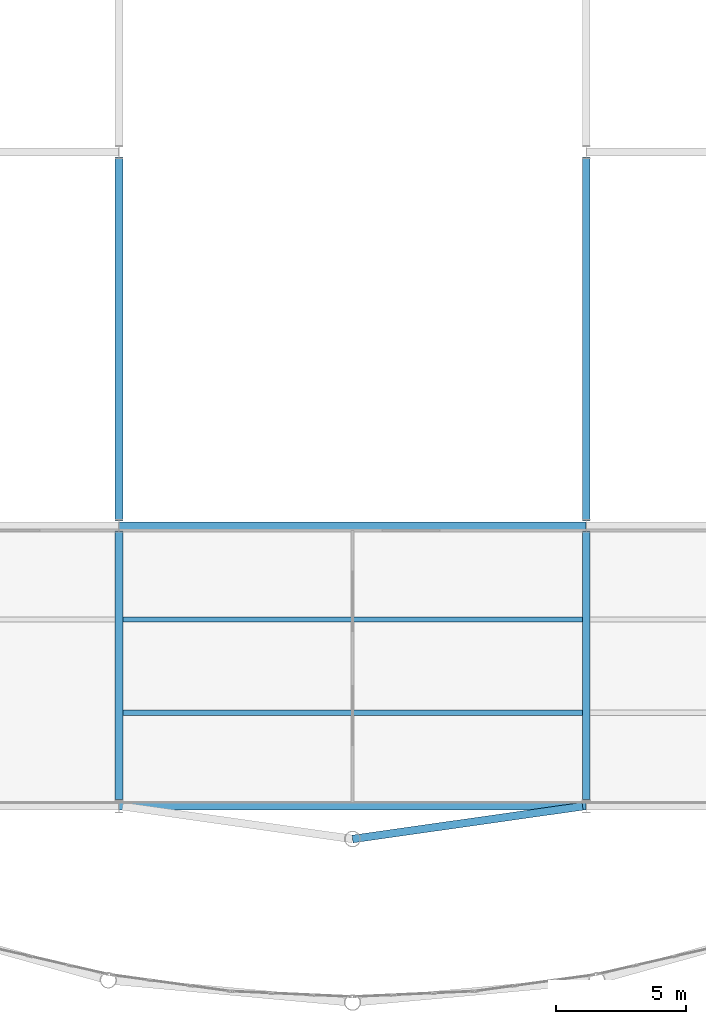
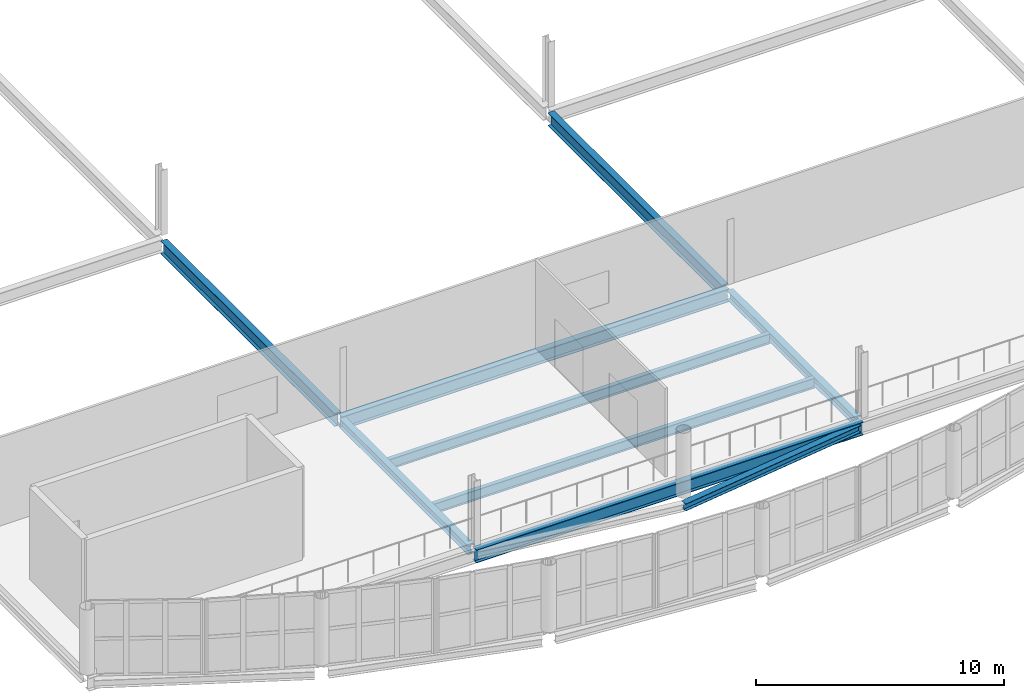
# One storey, part 32 of 134: 9 beams.
"""IFC4 building model written with IfcOpenShell, lengths in metres."""

from ifc_helpers import new_model, si_unit, direction, frame, origin, origin_2d, place, context, subcontext, project, spatial, i_section, extrude, material, material_profile, profile_set, type_object, element, save


model = new_model("IFC4")

# Units and contexts
model_context = context("Model", 3, precision=1e-05, world=origin(), true_north=direction((0.0, 1.0)))
body_context = subcontext(model_context, "Body", "Model", "MODEL_VIEW")
ifc_project = project(units=[si_unit("LENGTHUNIT", "METRE"), si_unit("AREAUNIT", "SQUARE_METRE"), si_unit("VOLUMEUNIT", "CUBIC_METRE"), si_unit("PLANEANGLEUNIT", "RADIAN"), si_unit("MASSUNIT", "GRAM", prefix="KILO")], contexts=[model_context])

# Site, building, storey
site_placement = place(None, origin())
site = spatial("IfcSite", under=ifc_project, at=site_placement, CompositionType="ELEMENT")
building_placement = place(site_placement, origin())
building = spatial("IfcBuilding", under=site, at=building_placement, Name="Tamarisk Ironworks Central Station", CompositionType="ELEMENT")
storey_placement = place(building_placement, frame((0.0, 0.0, 12.60009765625)))
storey = spatial("IfcBuildingStorey", under=building, at=storey_placement, Name="L02", CompositionType="ELEMENT", Elevation=12.60009765625)

# Beams
ifc_material = material(Name="Structural steel S355J2", Category="steel")
ifc_material_profile_1 = material_profile(ifc_material, i_section(OverallWidth=0.199951171875, OverallDepth=0.5, WebThickness=0.01025390625, FlangeThickness=0.01611328125, at=origin_2d()), Name="IPE 500")
ifc_profile_set_1 = profile_set([ifc_material_profile_1], Name="Structural steel S355J2")
beam_type_1 = type_object("IfcBeamType", Name="BM-B02", PredefinedType="BEAM", material=ifc_profile_set_1)
for number, where, z_axis, x_axis, name in (
    (1, (72.135009765625, 14.39990234375, -0.530029296875), (1.0, 0.0, 0.0), (0.0, 1.0, 0.0), "L02 secondary composite beam 0120"),
    (2, (72.135009765625, 18.0, -0.530029296875), (1.0, 0.0, 0.0), (0.0, 1.0, 0.0), "L02 secondary composite beam 0121"),
):
    element("IfcBeam", number, at=place(storey_placement, frame(where, z_axis=z_axis, x_axis=x_axis)), inside=storey, type_object=beam_type_1, Name=name, PredefinedType="BEAM", context=body_context, shape_type="SweptSolid", body=[
        extrude(i_section(OverallWidth=0.199951171875, OverallDepth=0.5, WebThickness=0.01025390625, FlangeThickness=0.01611328125, at=origin_2d()), origin(), (0.0, 0.0, 1.0), 17.72998046875),
    ])
ifc_material_profile_2 = material_profile(ifc_material, i_section(OverallWidth=0.300048828125, OverallDepth=0.639892578125, WebThickness=0.013427734375, FlangeThickness=0.02587890625, at=origin_2d()), Name="HEA 650")
ifc_profile_set_2 = profile_set([ifc_material_profile_2], Name="Structural steel S355J2")
beam_type_2 = type_object("IfcBeamType", Name="BM-G02", PredefinedType="BEAM", material=ifc_profile_set_2)
for number, where, z_axis, x_axis, name in (
    (3, (72.00390625, 10.800048828125, -0.60009765625), (1.0, 0.0, 0.0), (0.0, 1.0, 0.0), "L02 primary girder X-0301"),
    (4, (72.00390625, 21.60009765625, -0.60009765625), (1.0, 0.0, 0.0), (0.0, 1.0, 0.0), "L02 primary girder X-0312"),
):
    element("IfcBeam", number, at=place(storey_placement, frame(where, z_axis=z_axis, x_axis=x_axis)), inside=storey, type_object=beam_type_2, Name=name, PredefinedType="BEAM", context=body_context, shape_type="SweptSolid", body=[
        extrude(i_section(OverallWidth=0.300048828125, OverallDepth=0.639892578125, WebThickness=0.013427734375, FlangeThickness=0.02587890625, at=origin_2d()), origin(), (0.0, 0.0, 1.0), 17.9921875),
    ])
for number, where, z_axis, x_axis, name in (
    (5, (72.0, 21.7958984375, -0.60009765625), (0.0, 1.0, 0.0), (-1.0, 0.0, 0.0), "L02 primary girder Y-0465"),
    (6, (90.0, 21.7958984375, -0.60009765625), (0.0, 1.0, 0.0), (-1.0, 0.0, 0.0), "L02 primary girder Y-0473"),
):
    element("IfcBeam", number, at=place(storey_placement, frame(where, z_axis=z_axis, x_axis=x_axis)), inside=storey, type_object=beam_type_2, Name=name, PredefinedType="BEAM", context=body_context, shape_type="SweptSolid", body=[
        extrude(i_section(OverallWidth=0.300048828125, OverallDepth=0.639892578125, WebThickness=0.013427734375, FlangeThickness=0.02587890625, at=origin_2d()), origin(), (0.0, 0.0, 1.0), 14.008056640625),
    ])
ifc_material_profile_3 = material_profile(ifc_material, i_section(OverallWidth=0.300048828125, OverallDepth=0.43994140625, WebThickness=0.011474609375, FlangeThickness=0.02099609375, at=origin_2d()), Name="HEA 450")
ifc_profile_set_3 = profile_set([ifc_material_profile_3], Name="Structural steel S355J2")
beam_type_3 = type_object("IfcBeamType", Name="BM-G06", PredefinedType="BEAM", material=ifc_profile_set_3)
for number, where, z_axis, x_axis, name in (
    (7, (72.0, 11.06298828125, -0.5), (0.0, 1.0, 0.0), (-1.0, 0.0, 0.0), "L02 primary girder Y-0464"),
    (8, (90.0, 11.06298828125, -0.5), (0.0, 1.0, 0.0), (-1.0, 0.0, 0.0), "L02 primary girder Y-0472"),
):
    element("IfcBeam", number, at=place(storey_placement, frame(where, z_axis=z_axis, x_axis=x_axis)), inside=storey, type_object=beam_type_3, Name=name, PredefinedType="BEAM", context=body_context, shape_type="SweptSolid", body=[
        extrude(i_section(OverallWidth=0.300048828125, OverallDepth=0.43994140625, WebThickness=0.011474609375, FlangeThickness=0.02099609375, at=origin_2d()), origin(), (0.0, 0.0, 1.0), 10.341064453125),
    ])
ifc_material_profile_4 = material_profile(ifc_material, i_section(OverallWidth=0.300048828125, OverallDepth=0.35009765625, WebThickness=0.010009765625, FlangeThickness=0.017578125, at=origin_2d()), Name="HEA 360")
ifc_profile_set_4 = profile_set([ifc_material_profile_4], Name="Structural steel S355J2")
beam_type_4 = type_object("IfcBeamType", Name="BM-G08", PredefinedType="BEAM", material=ifc_profile_set_4)
beam_placement = place(storey_placement, frame((89.860107421875, 10.800048828125, -0.580078125), z_axis=(-0.990038775739, -0.140794966289, 0.0), x_axis=(0.140794966289, -0.990038775739, 0.0)))
element("IfcBeam", 9, at=beam_placement, inside=storey, type_object=beam_type_4, Name="SN arch crown tie beam 016", PredefinedType="BEAM", context=body_context, shape_type="SweptSolid", body=[
    extrude(i_section(OverallWidth=0.300048828125, OverallDepth=0.35009765625, WebThickness=0.010009765625, FlangeThickness=0.017578125, at=origin_2d()), origin(), (0.0, 0.0, 1.0), 8.94921875),
])

save(model, "model.ifc")
